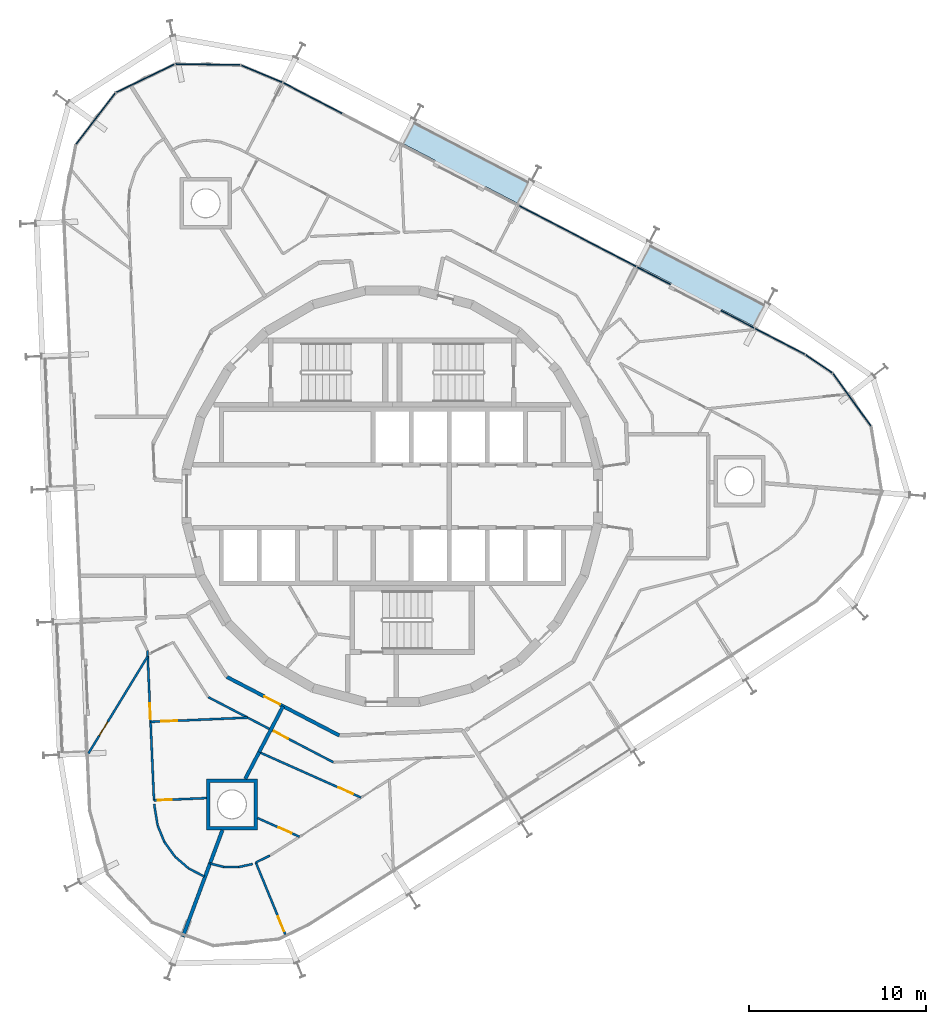
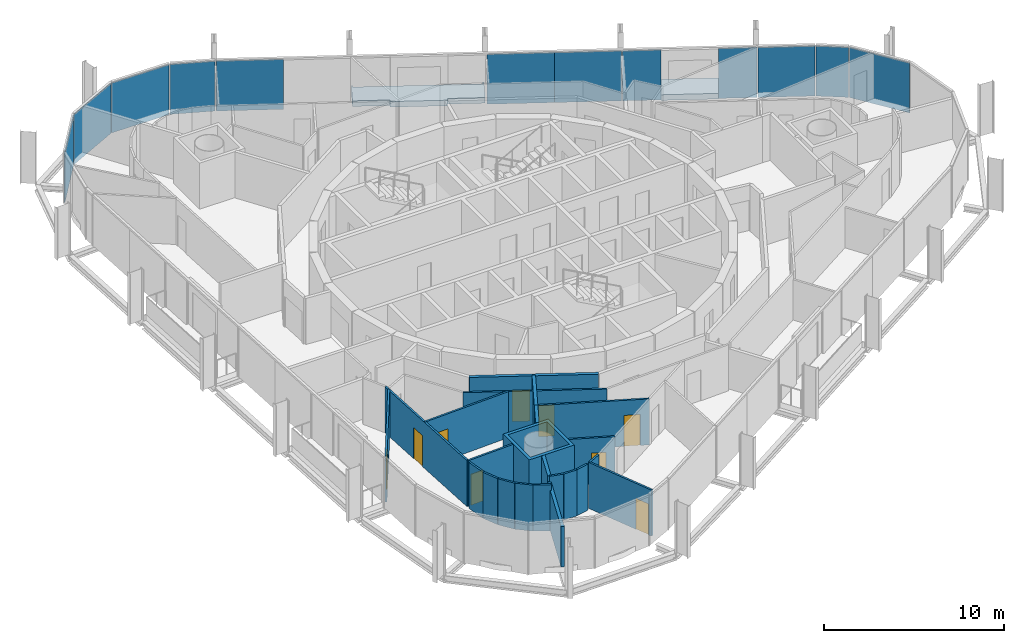
# One storey, part 11 of 18: 23 walls, 12 plates, 9 doors, 2 slabs, 9 openings, 3 elements without a shape of their own.
"""IFC4 building model written with IfcOpenShell, lengths in metres."""

from ifc_helpers import new_model, si_unit, direction, frame, frame_2d, origin, origin_2d, place, context, subcontext, project, spatial, polyline, rectangle, outline, extrude, material, layer, layer_set, type_object, element, fill, aggregate, save


model = new_model("IFC4")

# Units and contexts
model_context = context("Model", 3, precision=1e-05, world=origin(), true_north=direction((0.0, 1.0)))
body_context = subcontext(model_context, "Body", "Model", "MODEL_VIEW")
ifc_project = project(units=[si_unit("LENGTHUNIT", "METRE"), si_unit("AREAUNIT", "SQUARE_METRE"), si_unit("VOLUMEUNIT", "CUBIC_METRE"), si_unit("PLANEANGLEUNIT", "RADIAN"), si_unit("MASSUNIT", "GRAM", prefix="KILO")], contexts=[model_context])

# Site, building, storey
site_placement = place(None, origin())
site = spatial("IfcSite", under=ifc_project, at=site_placement, CompositionType="ELEMENT")
building_placement = place(site_placement, origin())
building = spatial("IfcBuilding", under=site, at=building_placement, Name="Spindle Arch Residences", CompositionType="ELEMENT")
storey_placement = place(building_placement, frame((0.0, 0.0, 251.199951171875)))
storey = spatial("IfcBuildingStorey", under=building, at=storey_placement, Name="L64", CompositionType="ELEMENT", Elevation=251.199951171875)

# Slabs
ifc_material_1 = material(Name="Concrete C40/50", Category="concrete")
ifc_layer_1 = layer(ifc_material_1, 0.3798828125)
ifc_layer_set_1 = layer_set([ifc_layer_1], Name="Balcony slab 380")
slab_type = type_object("IfcSlabType", Name="Balcony slab 380", PredefinedType="FLOOR", material=ifc_layer_set_1)
slab_1_placement = place(storey_placement, frame((0.0, 0.0, -0.3798828125)))
element("IfcSlab", 1, at=slab_1_placement, inside=storey, type_object=slab_type, Name="Balcony L64 bay 6", PredefinedType="FLOOR", context=body_context, shape_type="SweptSolid", body=[
    extrude(outline(polyline([(21.175537109375, 10.94287109375), (21.109130859375, 10.9775390625), (21.039794921875, 10.844482421875), (14.626708984375, 14.18310546875), (14.696044921875, 14.316162109375), (14.62939453125, 14.3505859375), (13.94140625, 13.029052734375), (15.79541015625, 12.06396484375), (15.721435546875, 11.922119140625), (18.559814453125, 10.444580078125), (18.6337890625, 10.58642578125), (20.487548828125, 9.621337890625), (21.175537109375, 10.94287109375)])), origin(), (0.0, 0.0, 1.0), 0.3798828125),
])
slab_2_placement = place(storey_placement, frame((0.0, 0.0, -0.3798828125)))
element("IfcSlab", 2, at=slab_2_placement, inside=storey, type_object=slab_type, Name="Balcony L64 bay 8", PredefinedType="FLOOR", context=body_context, shape_type="SweptSolid", body=[
    extrude(outline(polyline([(7.817138671875, 17.89697265625), (7.75048828125, 17.931640625), (7.681396484375, 17.798583984375), (1.268310546875, 21.136962890625), (1.33740234375, 21.27001953125), (1.27099609375, 21.3046875), (0.5830078125, 19.983154296875), (2.436767578125, 19.01806640625), (2.363037109375, 18.8759765625), (5.201416015625, 17.3984375), (5.275146484375, 17.540283203125), (7.129150390625, 16.5751953125), (7.817138671875, 17.89697265625)])), origin(), (0.0, 0.0, 1.0), 0.3798828125),
])

# Curtain wall, plates
ifc_material_2 = material(Name="Aluminium bronze unitised frame with tinted glass", Category="aluminium")
ifc_layer_2 = layer(ifc_material_2, 0.159912109375)
ifc_layer_set_2 = layer_set([ifc_layer_2], Name="CW-D corner wall on the fillet arcs")
curtain_wall_type_1 = type_object("IfcCurtainWallType", Name="CW-D corner wall on the fillet arcs", PredefinedType="NOTDEFINED", material=ifc_layer_set_2)
curtain_wall_1_placement = place(storey_placement, origin())
curtain_wall_1 = element("IfcCurtainWall", 3, at=curtain_wall_1_placement, inside=storey, type_object=curtain_wall_type_1, Name="CW-D L64 run 1", PredefinedType="NOTDEFINED")
ifc_material_3 = material(Name="Tinted double glazing over aluminium faced non-combustible spandrel zone (K0)", Category="aluminium")
ifc_layer_3 = layer(ifc_material_3, 0.06005859375)
ifc_layer_set_3 = layer_set([ifc_layer_3], Name="Unitised glass panel with E 60 spandrel zone")
plate_type = type_object("IfcPlateType", Name="Unitised glass panel with E 60 spandrel zone", PredefinedType="CURTAIN_PANEL", material=ifc_layer_set_3)
plate_1_placement = place(storey_placement, frame((26.024169921875, 5.460693359375, -0.3798828125), z_axis=(0.0, 0.0, 1.0), x_axis=(-0.585429431289, 0.810723368962, 0.0)))
plate_1 = element("IfcPlate", 4, at=plate_1_placement, type_object=plate_type, Name="CW-D unit 04", PredefinedType="CURTAIN_PANEL", context=body_context, shape_type="SweptSolid", body=[
    extrude(rectangle(XDim=3.666748046875, YDim=0.06005859375, at=origin_2d()), origin(), (0.0, 0.0, 1.0), 3.3798828125),
])
plate_2_placement = place(storey_placement, frame((24.156982421875, 7.498291015625, -0.3798828125), z_axis=(0.0, 0.0, 1.0), x_axis=(-0.827407441981, 0.561602105546, 0.0)))
plate_2 = element("IfcPlate", 5, at=plate_2_placement, type_object=plate_type, Name="CW-D unit 05", PredefinedType="CURTAIN_PANEL", context=body_context, shape_type="SweptSolid", body=[
    extrude(rectangle(XDim=1.816162109375, YDim=0.06005859375, at=origin_2d()), origin(), (0.0, 0.0, 1.0), 3.3798828125),
])
plate_3_placement = place(storey_placement, frame((21.948974609375, 8.770263671875, -0.3798828125), z_axis=(0.0, 0.0, 1.0), x_axis=(-0.887010833178, 0.461748613235, 0.0)))
plate_3 = element("IfcPlate", 6, at=plate_3_placement, type_object=plate_type, Name="CW-D unit 06", PredefinedType="CURTAIN_PANEL", context=body_context, shape_type="SweptSolid", body=[
    extrude(rectangle(XDim=3.16845703125, YDim=0.06005859375, at=origin_2d()), origin(), (0.0, 0.0, 1.0), 3.3798828125),
])
aggregate(curtain_wall_1, [plate_1, plate_2, plate_3])

ifc_material_4 = material(Name="Aluminium bronze unitised frame with tinted glass", Category="aluminium")
ifc_layer_4 = layer(ifc_material_4, 0.159912109375)
ifc_layer_set_4 = layer_set([ifc_layer_4], Name="CW-C typical residential unitised wall")
curtain_wall_type_2 = type_object("IfcCurtainWallType", Name="CW-C typical residential unitised wall", PredefinedType="NOTDEFINED", material=ifc_layer_set_4)
curtain_wall_2_placement = place(storey_placement, origin())
curtain_wall_2 = element("IfcCurtainWall", 7, at=curtain_wall_2_placement, inside=storey, type_object=curtain_wall_type_2, Name="CW-C L64 run 2", PredefinedType="NOTDEFINED")
plate_4_placement = place(storey_placement, frame((19.543701171875, 10.0224609375, -0.3798828125), z_axis=(0.0, 0.0, 1.0), x_axis=(-0.887010833178, 0.461748613235, 0.0)))
plate_4 = element("IfcPlate", 8, at=plate_4_placement, type_object=plate_type, Name="CW-C unit 05L", PredefinedType="CURTAIN_PANEL", context=body_context, shape_type="SweptSolid", body=[
    extrude(rectangle(XDim=2.135009765625, YDim=0.06005859375, at=origin_2d()), origin(), (0.0, 0.0, 1.0), 3.3798828125),
])
plate_5_placement = place(storey_placement, frame((14.8115234375, 12.48583984375, -0.3798828125), z_axis=(0.0, 0.0, 1.0), x_axis=(-0.887010833178, 0.461748613235, 0.0)))
plate_5 = element("IfcPlate", 9, at=plate_5_placement, type_object=plate_type, Name="CW-C unit 05R", PredefinedType="CURTAIN_PANEL", context=body_context, shape_type="SweptSolid", body=[
    extrude(rectangle(XDim=2.135009765625, YDim=0.06005859375, at=origin_2d()), origin(), (0.0, 0.0, 1.0), 3.3798828125),
])
plate_6_placement = place(storey_placement, frame((12.15478515625, 13.868896484375, -0.3798828125), z_axis=(0.0, 0.0, 1.0), x_axis=(-0.887010833178, 0.461748613235, 0.0)))
plate_6 = element("IfcPlate", 10, at=plate_6_placement, type_object=plate_type, Name="CW-C unit 06A", PredefinedType="CURTAIN_PANEL", context=body_context, shape_type="SweptSolid", body=[
    extrude(rectangle(XDim=3.735107421875, YDim=0.06005859375, at=origin_2d()), origin(), (0.0, 0.0, 1.0), 3.3798828125),
])
plate_7_placement = place(storey_placement, frame((8.841796875, 15.593505859375, -0.3798828125), z_axis=(0.0, 0.0, 1.0), x_axis=(-0.887010833178, 0.461748613235, 0.0)))
plate_7 = element("IfcPlate", 11, at=plate_7_placement, type_object=plate_type, Name="CW-C unit 06B", PredefinedType="CURTAIN_PANEL", context=body_context, shape_type="SweptSolid", body=[
    extrude(rectangle(XDim=3.735107421875, YDim=0.06005859375, at=origin_2d()), origin(), (0.0, 0.0, 1.0), 3.3798828125),
])
plate_8_placement = place(storey_placement, frame((-4.5166015625, 22.547607421875, -0.3798828125), z_axis=(0.0, 0.0, 1.0), x_axis=(-0.887010833178, 0.461748613235, 0.0)))
plate_8 = element("IfcPlate", 12, at=plate_8_placement, type_object=plate_type, Name="CW-C unit 08B", PredefinedType="CURTAIN_PANEL", context=body_context, shape_type="SweptSolid", body=[
    extrude(rectangle(XDim=3.735107421875, YDim=0.06005859375, at=origin_2d()), origin(), (0.0, 0.0, 1.0), 3.3798828125),
])
aggregate(curtain_wall_2, [plate_4, plate_5, plate_6, plate_7, plate_8])

curtain_wall_3_placement = place(storey_placement, origin())
curtain_wall_3 = element("IfcCurtainWall", 13, at=curtain_wall_3_placement, inside=storey, type_object=curtain_wall_type_1, Name="CW-D L64 run 3", PredefinedType="NOTDEFINED")
plate_9_placement = place(storey_placement, frame((-7.39501953125, 23.923095703125, -0.3798828125), z_axis=(0.0, 0.0, 1.0), x_axis=(-0.92268610302, 0.385552013734, 0.0)))
plate_9 = element("IfcPlate", 14, at=plate_9_placement, type_object=plate_type, Name="CW-D unit 00", PredefinedType="CURTAIN_PANEL", context=body_context, shape_type="SweptSolid", body=[
    extrude(rectangle(XDim=2.531005859375, YDim=0.06005859375, at=origin_2d()), origin(), (0.0, 0.0, 1.0), 3.3798828125),
])
plate_10_placement = place(storey_placement, frame((-10.45361328125, 24.44970703125, -0.3798828125), z_axis=(0.0, 0.0, 1.0), x_axis=(-0.999894231949, 0.014543896145, 0.0)))
plate_10 = element("IfcPlate", 15, at=plate_10_placement, type_object=plate_type, Name="CW-D unit 01", PredefinedType="CURTAIN_PANEL", context=body_context, shape_type="SweptSolid", body=[
    extrude(rectangle(XDim=3.666748046875, YDim=0.06005859375, at=origin_2d()), origin(), (0.0, 0.0, 1.0), 3.3798828125),
])
plate_11_placement = place(storey_placement, frame((-13.993896484375, 23.664794921875, -0.3798828125), z_axis=(0.0, 0.0, 1.0), x_axis=(-0.900065409075, -0.435754815677, 0.0)))
plate_11 = element("IfcPlate", 16, at=plate_11_placement, type_object=plate_type, Name="CW-D unit 02", PredefinedType="CURTAIN_PANEL", context=body_context, shape_type="SweptSolid", body=[
    extrude(rectangle(XDim=3.666748046875, YDim=0.06005859375, at=origin_2d()), origin(), (0.0, 0.0, 1.0), 3.3798828125),
])
plate_12_placement = place(storey_placement, frame((-16.805419921875, 21.37451171875, -0.3798828125), z_axis=(0.0, 0.0, 1.0), x_axis=(-0.60876142329, -0.793353344679, 0.0)))
plate_12 = element("IfcPlate", 17, at=plate_12_placement, type_object=plate_type, Name="CW-D unit 03", PredefinedType="CURTAIN_PANEL", context=body_context, shape_type="SweptSolid", body=[
    extrude(rectangle(XDim=3.666748046875, YDim=0.06005859375, at=origin_2d()), origin(), (0.0, 0.0, 1.0), 3.3798828125),
])
aggregate(curtain_wall_3, [plate_9, plate_10, plate_11, plate_12])

# Wall, opening, door
ifc_material_5 = material(Name="Calcium silicate block, plastered")
ifc_layer_5 = layer(ifc_material_5, 0.199951171875)
ifc_layer_set_5 = layer_set([ifc_layer_5], Name="Corridor wall 200")
wall_type_1 = type_object("IfcWallType", Name="Corridor wall 200", PredefinedType="STANDARD", material=ifc_layer_set_5)
wall_1_placement = place(storey_placement, frame((-9.372314453125, -10.22802734375, 0.0), z_axis=(0.0, 0.0, 1.0), x_axis=(0.887005184532, -0.461759464021, 0.0)))
wall_1 = element("IfcWall", 18, at=wall_1_placement, inside=storey, type_object=wall_type_1, Name="Corridor wall R6C1-W019", PredefinedType="STANDARD", context=body_context, shape_type="SweptSolid", body=[
    extrude(rectangle(XDim=7.18115234375, YDim=0.199951171875, at=frame_2d((3.590576171875, 0.0))), origin(), (0.0, 0.0, 1.0), 3.1201171875),
])
opening_1_placement = place(wall_1_placement, frame((2.390625, 0.0, 0.0)))
opening_1 = element("IfcOpeningElement", 19, at=opening_1_placement, cuts=wall_1, Name="Opening R6C1-FD04", PredefinedType="OPENING", context=body_context, shape_type="SweptSolid", body=[
    extrude(rectangle(XDim=1.0, YDim=2.10009765625, at=frame_2d((0.5, 1.050048828125))), frame((0.0, 0.10986328125, 0.0), z_axis=(0.0, -1.0, 0.0), x_axis=(1.0, 0.0, 0.0)), (0.0, 0.0, 1.0), 0.219970703125),
])
ifc_material_6 = material(Name="Timber, fire-resisting door set", Category="wood")
door_type_1 = type_object("IfcDoorType", Name="Flat entrance door 1000x2100", OperationType="NOTDEFINED", PredefinedType="DOOR", material=ifc_material_6)
door_1_placement = place(opening_1_placement, origin())
door_1 = element("IfcDoor", 20, at=door_1_placement, inside=storey, type_object=door_type_1, Name="Flat entrance door R6C1-FD04", OperationType="SINGLE_SWING_RIGHT", OverallHeight=2.10009765625, OverallWidth=1.0, PredefinedType="DOOR", context=body_context, shape_type="SweptSolid", body=[
    extrude(rectangle(XDim=1.0, YDim=2.10009765625, at=frame_2d((0.5, 1.050048828125))), frame((0.0, 0.02490234375, 0.0), z_axis=(0.0, -1.0, 0.0), x_axis=(1.0, 0.0, 0.0)), (0.0, 0.0, 1.0), 0.050048828125),
])
fill(opening_1, door_1)

ifc_material_7 = material(Name="Plasterboard on steel studs", Category="steel")
ifc_layer_6 = layer(ifc_material_7, 0.1201171875)
ifc_layer_set_6 = layer_set([ifc_layer_6], Name="Flat partition 120")
wall_type_2 = type_object("IfcWallType", Name="Flat partition 120", PredefinedType="PARTITIONING", material=ifc_layer_set_6)
wall_2_placement = place(storey_placement, frame((-10.42138671875, -11.373046875, 0.0), z_axis=(0.0, 0.0, 1.0), x_axis=(0.887012970857, -0.461744506769, 0.0)))
wall_2 = element("IfcWall", 21, at=wall_2_placement, inside=storey, type_object=wall_type_2, Name="Flat partition R6C1-W087", PredefinedType="PARTITIONING", context=body_context, shape_type="SweptSolid", body=[
    extrude(rectangle(XDim=7.98486328125, YDim=0.1201171875, at=frame_2d((3.992431640625, 0.0))), origin(), (0.0, 0.0, 1.0), 3.1201171875),
])
opening_2_placement = place(wall_2_placement, frame((4.1923828125, 0.0, 0.0)))
opening_2 = element("IfcOpeningElement", 22, at=opening_2_placement, cuts=wall_2, Name="Opening R6C1-ID19", PredefinedType="OPENING", context=body_context, shape_type="SweptSolid", body=[
    extrude(rectangle(XDim=0.89990234375, YDim=2.10009765625, at=frame_2d((0.449951171875, 1.050048828125))), frame((0.0, 0.070068359375, 0.0), z_axis=(0.0, -1.0, 0.0), x_axis=(1.0, 0.0, 0.0)), (0.0, 0.0, 1.0), 0.14013671875),
])
ifc_material_8 = material(Name="Timber door set", Category="wood")
door_type_2 = type_object("IfcDoorType", Name="Room door 900x2100", OperationType="NOTDEFINED", PredefinedType="DOOR", material=ifc_material_8)
door_2_placement = place(opening_2_placement, origin())
door_2 = element("IfcDoor", 23, at=door_2_placement, inside=storey, type_object=door_type_2, Name="Room door R6C1-ID19", OperationType="SINGLE_SWING_LEFT", OverallHeight=2.10009765625, OverallWidth=0.89990234375, PredefinedType="DOOR", context=body_context, shape_type="SweptSolid", body=[
    extrude(rectangle(XDim=0.89990234375, YDim=2.10009765625, at=frame_2d((0.449951171875, 1.050048828125))), frame((0.0, 0.02490234375, 0.0), z_axis=(0.0, -1.0, 0.0), x_axis=(1.0, 0.0, 0.0)), (0.0, 0.0, 1.0), 0.050048828125),
])
fill(opening_2, door_2)

wall_3_placement = place(storey_placement, frame((-13.49609375, -17.218017578125, 0.0), z_axis=(0.0, 0.0, 1.0), x_axis=(-0.043640714674, 0.999047290183, 0.0)))
wall_3 = element("IfcWall", 24, at=wall_3_placement, inside=storey, type_object=wall_type_2, Name="Flat partition R6C1-W088", PredefinedType="PARTITIONING", context=body_context, shape_type="SweptSolid", body=[
    extrude(rectangle(XDim=8.486572265625, YDim=0.1201171875, at=frame_2d((4.2431640625, 0.0))), origin(), (0.0, 0.0, 1.0), 3.1201171875),
])
opening_3_placement = place(wall_3_placement, frame((4.6083984375, 0.0, 0.0)))
opening_3 = element("IfcOpeningElement", 25, at=opening_3_placement, cuts=wall_3, Name="Opening R6C1-ID16", PredefinedType="OPENING", context=body_context, shape_type="SweptSolid", body=[
    extrude(rectangle(XDim=0.89990234375, YDim=2.10009765625, at=frame_2d((0.449951171875, 1.050048828125))), frame((0.0, 0.070068359375, 0.0), z_axis=(0.0, -1.0, 0.0), x_axis=(1.0, 0.0, 0.0)), (0.0, 0.0, 1.0), 0.14013671875),
])
door_3_placement = place(opening_3_placement, origin())
door_3 = element("IfcDoor", 26, at=door_3_placement, inside=storey, type_object=door_type_2, Name="Room door R6C1-ID16", OperationType="SINGLE_SWING_RIGHT", OverallHeight=2.10009765625, OverallWidth=0.89990234375, PredefinedType="DOOR", context=body_context, shape_type="SweptSolid", body=[
    extrude(rectangle(XDim=0.89990234375, YDim=2.10009765625, at=frame_2d((0.449951171875, 1.050048828125))), frame((0.0, 0.02490234375, 0.0), z_axis=(0.0, -1.0, 0.0), x_axis=(1.0, 0.0, 0.0)), (0.0, 0.0, 1.0), 0.050048828125),
])
fill(opening_3, door_3)

wall_4_placement = place(storey_placement, frame((-17.215087890625, -14.570068359375, 0.0), z_axis=(0.0, 0.0, 1.0), x_axis=(0.520949659667, 0.853587401555, 0.0)))
wall_4 = element("IfcWall", 27, at=wall_4_placement, inside=storey, type_object=wall_type_2, Name="Flat partition R6C1-W089", PredefinedType="PARTITIONING", context=body_context, shape_type="SweptSolid", body=[
    extrude(rectangle(XDim=6.455078125, YDim=0.1201171875, at=frame_2d((3.2275390625, 0.0))), origin(), (0.0, 0.0, 1.0), 3.1201171875),
])
opening_4_placement = place(wall_4_placement, frame((1.199951171875, 0.0, 0.0)))
opening_4 = element("IfcOpeningElement", 28, at=opening_4_placement, cuts=wall_4, Name="Opening R6C1-ID17", PredefinedType="OPENING", context=body_context, shape_type="SweptSolid", body=[
    extrude(rectangle(XDim=0.89990234375, YDim=2.10009765625, at=frame_2d((0.449951171875, 1.050048828125))), frame((0.0, 0.070068359375, 0.0), z_axis=(0.0, -1.0, 0.0), x_axis=(1.0, 0.0, 0.0)), (0.0, 0.0, 1.0), 0.14013671875),
])
door_4_placement = place(opening_4_placement, origin())
door_4 = element("IfcDoor", 29, at=door_4_placement, inside=storey, type_object=door_type_2, Name="Room door R6C1-ID17", OperationType="SINGLE_SWING_LEFT", OverallHeight=2.10009765625, OverallWidth=0.89990234375, PredefinedType="DOOR", context=body_context, shape_type="SweptSolid", body=[
    extrude(rectangle(XDim=0.89990234375, YDim=2.10009765625, at=frame_2d((0.449951171875, 1.050048828125))), frame((0.0, 0.02490234375, 0.0), z_axis=(0.0, -1.0, 0.0), x_axis=(1.0, 0.0, 0.0)), (0.0, 0.0, 1.0), 0.050048828125),
])
fill(opening_4, door_4)

wall_5_placement = place(storey_placement, frame((-13.690185546875, -12.773681640625, 0.0), z_axis=(0.0, 0.0, 1.0), x_axis=(0.999048778431, 0.043606631553, 0.0)))
wall_5 = element("IfcWall", 30, at=wall_5_placement, inside=storey, type_object=wall_type_2, Name="Flat partition R6C1-W090", PredefinedType="PARTITIONING", context=body_context, shape_type="SweptSolid", body=[
    extrude(rectangle(XDim=5.50341796875, YDim=0.1201171875, at=frame_2d((2.751708984375, 0.0))), origin(), (0.0, 0.0, 1.0), 3.1201171875),
])
opening_5_placement = place(wall_5_placement, frame((0.60009765625, 0.0, 0.0)))
opening_5 = element("IfcOpeningElement", 31, at=opening_5_placement, cuts=wall_5, Name="Opening R6C1-ID18", PredefinedType="OPENING", context=body_context, shape_type="SweptSolid", body=[
    extrude(rectangle(XDim=0.89990234375, YDim=2.10009765625, at=frame_2d((0.449951171875, 1.050048828125))), frame((0.0, 0.070068359375, 0.0), z_axis=(0.0, -1.0, 0.0), x_axis=(1.0, 0.0, 0.0)), (0.0, 0.0, 1.0), 0.14013671875),
])
door_5_placement = place(opening_5_placement, origin())
door_5 = element("IfcDoor", 32, at=door_5_placement, inside=storey, type_object=door_type_2, Name="Room door R6C1-ID18", OperationType="SINGLE_SWING_RIGHT", OverallHeight=2.10009765625, OverallWidth=0.89990234375, PredefinedType="DOOR", context=body_context, shape_type="SweptSolid", body=[
    extrude(rectangle(XDim=0.89990234375, YDim=2.10009765625, at=frame_2d((0.449951171875, 1.050048828125))), frame((0.0, 0.02490234375, 0.0), z_axis=(0.0, -1.0, 0.0), x_axis=(1.0, 0.0, 0.0)), (0.0, 0.0, 1.0), 0.050048828125),
])
fill(opening_5, door_5)

# Walls
for number, where, z_axis, x_axis, name in (
    (33, (-10.63818359375, -21.535888671875, 0.0), (0.0, 0.0, 1.0), (-0.886953051048, 0.461859594721, 0.0), "Flat partition R6C1-W091"),
    (34, (-11.539306640625, -21.066650390625, 0.0), (0.0, 0.0, 1.0), (-0.756552751789, 0.653932667604, 0.0), "Flat partition R6C1-W092"),
    (35, (-12.307861328125, -20.40234375, 0.0), (0.0, 0.0, 1.0), (-0.585481778516, 0.810685566065, 0.0), "Flat partition R6C1-W093"),
):
    element("IfcWall", number, at=place(storey_placement, frame(where, z_axis=z_axis, x_axis=x_axis)), inside=storey, type_object=wall_type_2, Name=name, PredefinedType="PARTITIONING", context=body_context, shape_type="SweptSolid", body=[
        extrude(rectangle(XDim=1.015869140625, YDim=0.1201171875, at=frame_2d((0.5078125, 0.0))), origin(), (0.0, 0.0, 1.0), 3.1201171875),
    ])
wall_6_placement = place(storey_placement, frame((-12.902587890625, -19.578857421875, 0.0), z_axis=(0.0, 0.0, 1.0), x_axis=(-0.382754975976, 0.923849894932, 0.0)))
element("IfcWall", 36, at=wall_6_placement, inside=storey, type_object=wall_type_2, Name="Flat partition R6C1-W094", PredefinedType="PARTITIONING", context=body_context, shape_type="SweptSolid", body=[
    extrude(rectangle(XDim=1.01611328125, YDim=0.1201171875, at=frame_2d((0.508056640625, 0.0))), origin(), (0.0, 0.0, 1.0), 3.1201171875),
])
wall_7_placement = place(storey_placement, frame((-13.29150390625, -18.64013671875, 0.0), z_axis=(0.0, 0.0, 1.0), x_axis=(-0.159363796836, 0.98721992497, 0.0)))
element("IfcWall", 37, at=wall_7_placement, inside=storey, type_object=wall_type_2, Name="Flat partition R6C1-W095", PredefinedType="PARTITIONING", context=body_context, shape_type="SweptSolid", body=[
    extrude(rectangle(XDim=1.22705078125, YDim=0.1201171875, at=frame_2d((0.613525390625, 0.0))), origin(), (0.0, 0.0, 1.0), 3.1201171875),
])

# Wall, opening, door
wall_8_placement = place(storey_placement, frame((-13.49609375, -17.218017578125, 0.0), z_axis=(0.0, 0.0, 1.0), x_axis=(0.999044946677, 0.043694330507, 0.0)))
wall_8 = element("IfcWall", 38, at=wall_8_placement, inside=storey, type_object=wall_type_2, Name="Flat partition R6C1-W096", PredefinedType="PARTITIONING", context=body_context, shape_type="SweptSolid", body=[
    extrude(rectangle(XDim=2.967041015625, YDim=0.1201171875, at=frame_2d((1.4833984375, 0.0))), origin(), (0.0, 0.0, 1.0), 3.1201171875),
])
opening_6_placement = place(wall_8_placement, frame((0.199951171875, 0.0, 0.0)))
opening_6 = element("IfcOpeningElement", 39, at=opening_6_placement, cuts=wall_8, Name="Opening R6C1-BD04", PredefinedType="OPENING", context=body_context, shape_type="SweptSolid", body=[
    extrude(rectangle(XDim=0.800048828125, YDim=2.10009765625, at=frame_2d((0.39990234375, 1.050048828125))), frame((0.0, 0.070068359375, 0.0), z_axis=(0.0, -1.0, 0.0), x_axis=(1.0, 0.0, 0.0)), (0.0, 0.0, 1.0), 0.14013671875),
])
ifc_material_9 = material(Name="Timber door set", Category="wood")
door_type_3 = type_object("IfcDoorType", Name="Bathroom door 800x2100", OperationType="NOTDEFINED", PredefinedType="DOOR", material=ifc_material_9)
door_6_placement = place(opening_6_placement, origin())
door_6 = element("IfcDoor", 40, at=door_6_placement, inside=storey, type_object=door_type_3, Name="Bathroom door R6C1-BD04", OperationType="SINGLE_SWING_RIGHT", OverallHeight=2.10009765625, OverallWidth=0.800048828125, PredefinedType="DOOR", context=body_context, shape_type="SweptSolid", body=[
    extrude(rectangle(XDim=0.800048828125, YDim=2.10009765625, at=frame_2d((0.39990234375, 1.050048828125))), frame((0.0, 0.02490234375, 0.0), z_axis=(0.0, -1.0, 0.0), x_axis=(1.0, 0.0, 0.0)), (0.0, 0.0, 1.0), 0.050048828125),
])
fill(opening_6, door_6)

# Walls
wall_9_placement = place(storey_placement, frame((-10.32421875, -20.789794921875, 0.0), z_axis=(0.0, 0.0, 1.0), x_axis=(0.969547579982, -0.244903021933, 0.0)))
element("IfcWall", 41, at=wall_9_placement, inside=storey, type_object=wall_type_2, Name="Flat partition R6C1-W098", PredefinedType="PARTITIONING", context=body_context, shape_type="SweptSolid", body=[
    extrude(rectangle(XDim=0.800537109375, YDim=0.1201171875, at=frame_2d((0.400390625, 0.0))), origin(), (0.0, 0.0, 1.0), 3.1201171875),
])
wall_10_placement = place(storey_placement, frame((-9.548095703125, -20.98583984375, 0.0), z_axis=(0.0, 0.0, 1.0), x_axis=(0.999895921986, -0.014427237979, 0.0)))
element("IfcWall", 42, at=wall_10_placement, inside=storey, type_object=wall_type_2, Name="Flat partition R6C1-W099", PredefinedType="PARTITIONING", context=body_context, shape_type="SweptSolid", body=[
    extrude(rectangle(XDim=0.8291015625, YDim=0.1201171875, at=frame_2d((0.41455078125, 0.0))), origin(), (0.0, 0.0, 1.0), 3.1201171875),
])
wall_11_placement = place(storey_placement, frame((-8.718994140625, -20.997802734375, 0.0), z_axis=(0.0, 0.0, 1.0), x_axis=(0.976339323235, 0.216244134959, 0.0)))
element("IfcWall", 43, at=wall_11_placement, inside=storey, type_object=wall_type_2, Name="Flat partition R6C1-W100", PredefinedType="PARTITIONING", context=body_context, shape_type="SweptSolid", body=[
    extrude(rectangle(XDim=0.82861328125, YDim=0.1201171875, at=frame_2d((0.414306640625, 0.0))), origin(), (0.0, 0.0, 1.0), 3.1201171875),
])

# Wall, opening, door
wall_12_placement = place(storey_placement, frame((-5.25634765625, -19.277587890625, 0.0), z_axis=(0.0, 0.0, 1.0), x_axis=(-0.913284429849, 0.407322415532, 0.0)))
wall_12 = element("IfcWall", 44, at=wall_12_placement, inside=storey, type_object=wall_type_2, Name="Flat partition R6C1-W101", PredefinedType="PARTITIONING", context=body_context, shape_type="SweptSolid", body=[
    extrude(rectangle(XDim=2.601318359375, YDim=0.1201171875, at=frame_2d((1.30078125, 0.0))), origin(), (0.0, 0.0, 1.0), 3.1201171875),
])
opening_7_placement = place(wall_12_placement, frame((0.5, 0.0, 0.0)))
opening_7 = element("IfcOpeningElement", 45, at=opening_7_placement, cuts=wall_12, Name="Opening R6C1-BD05", PredefinedType="OPENING", context=body_context, shape_type="SweptSolid", body=[
    extrude(rectangle(XDim=0.800048828125, YDim=2.10009765625, at=frame_2d((0.39990234375, 1.050048828125))), frame((0.0, 0.070068359375, 0.0), z_axis=(0.0, -1.0, 0.0), x_axis=(1.0, 0.0, 0.0)), (0.0, 0.0, 1.0), 0.14013671875),
])
door_7_placement = place(opening_7_placement, origin())
door_7 = element("IfcDoor", 46, at=door_7_placement, inside=storey, type_object=door_type_3, Name="Bathroom door R6C1-BD05", OperationType="SINGLE_SWING_LEFT", OverallHeight=2.10009765625, OverallWidth=0.800048828125, PredefinedType="DOOR", context=body_context, shape_type="SweptSolid", body=[
    extrude(rectangle(XDim=0.800048828125, YDim=2.10009765625, at=frame_2d((0.39990234375, 1.050048828125))), frame((0.0, 0.02490234375, 0.0), z_axis=(0.0, -1.0, 0.0), x_axis=(1.0, 0.0, 0.0)), (0.0, 0.0, 1.0), 0.050048828125),
])
fill(opening_7, door_7)

# Wall
wall_13_placement = place(storey_placement, frame((-7.73193359375, -20.732421875, 0.0), z_axis=(0.0, 0.0, 1.0), x_axis=(0.900065466697, 0.435754696659, 0.0)))
element("IfcWall", 47, at=wall_13_placement, inside=storey, type_object=wall_type_2, Name="Flat partition R6C1-W102", PredefinedType="PARTITIONING", context=body_context, shape_type="SweptSolid", body=[
    extrude(rectangle(XDim=0.88916015625, YDim=0.1201171875, at=frame_2d((0.444580078125, 0.0))), origin(), (0.0, 0.0, 1.0), 3.1201171875),
])

# Wall, opening, door
wall_14_placement = place(storey_placement, frame((-6.056640625, -24.809814453125, 0.0), z_axis=(0.0, 0.0, 1.0), x_axis=(-0.380044941584, 0.924968022354, 0.0)))
wall_14 = element("IfcWall", 48, at=wall_14_placement, inside=storey, type_object=wall_type_2, Name="Flat partition R6C1-W104", PredefinedType="PARTITIONING", context=body_context, shape_type="SweptSolid", body=[
    extrude(rectangle(XDim=4.408203125, YDim=0.1201171875, at=frame_2d((2.2041015625, 0.0))), origin(), (0.0, 0.0, 1.0), 3.1201171875),
])
opening_8_placement = place(wall_14_placement, frame((0.199951171875, 0.0, 0.0)))
opening_8 = element("IfcOpeningElement", 49, at=opening_8_placement, cuts=wall_14, Name="Opening R6C1-ID23", PredefinedType="OPENING", context=body_context, shape_type="SweptSolid", body=[
    extrude(rectangle(XDim=0.89990234375, YDim=2.10009765625, at=frame_2d((0.449951171875, 1.050048828125))), frame((0.0, 0.070068359375, 0.0), z_axis=(0.0, -1.0, 0.0), x_axis=(1.0, 0.0, 0.0)), (0.0, 0.0, 1.0), 0.14013671875),
])
door_8_placement = place(opening_8_placement, origin())
door_8 = element("IfcDoor", 50, at=door_8_placement, inside=storey, type_object=door_type_2, Name="Room door R6C1-ID23", OperationType="SINGLE_SWING_LEFT", OverallHeight=2.10009765625, OverallWidth=0.89990234375, PredefinedType="DOOR", context=body_context, shape_type="SweptSolid", body=[
    extrude(rectangle(XDim=0.89990234375, YDim=2.10009765625, at=frame_2d((0.449951171875, 1.050048828125))), frame((0.0, 0.02490234375, 0.0), z_axis=(0.0, -1.0, 0.0), x_axis=(1.0, 0.0, 0.0)), (0.0, 0.0, 1.0), 0.050048828125),
])
fill(opening_8, door_8)

wall_15_placement = place(storey_placement, frame((-1.773193359375, -17.05859375, 0.0), z_axis=(0.0, 0.0, 1.0), x_axis=(-0.913279926902, 0.407332511736, 0.0)))
wall_15 = element("IfcWall", 51, at=wall_15_placement, inside=storey, type_object=wall_type_2, Name="Flat partition R6C1-W105", PredefinedType="PARTITIONING", context=body_context, shape_type="SweptSolid", body=[
    extrude(rectangle(XDim=6.3154296875, YDim=0.1201171875, at=frame_2d((3.15771484375, 0.0))), origin(), (0.0, 0.0, 1.0), 3.1201171875),
])
opening_9_placement = place(wall_15_placement, frame((0.5, 0.0, 0.0)))
opening_9 = element("IfcOpeningElement", 52, at=opening_9_placement, cuts=wall_15, Name="Opening R6C1-ID21", PredefinedType="OPENING", context=body_context, shape_type="SweptSolid", body=[
    extrude(rectangle(XDim=0.89990234375, YDim=2.10009765625, at=frame_2d((0.449951171875, 1.050048828125))), frame((0.0, 0.070068359375, 0.0), z_axis=(0.0, -1.0, 0.0), x_axis=(1.0, 0.0, 0.0)), (0.0, 0.0, 1.0), 0.14013671875),
])
door_9_placement = place(opening_9_placement, origin())
door_9 = element("IfcDoor", 53, at=door_9_placement, inside=storey, type_object=door_type_2, Name="Room door R6C1-ID21", OperationType="SINGLE_SWING_LEFT", OverallHeight=2.10009765625, OverallWidth=0.89990234375, PredefinedType="DOOR", context=body_context, shape_type="SweptSolid", body=[
    extrude(rectangle(XDim=0.89990234375, YDim=2.10009765625, at=frame_2d((0.449951171875, 1.050048828125))), frame((0.0, 0.02490234375, 0.0), z_axis=(0.0, -1.0, 0.0), x_axis=(1.0, 0.0, 0.0)), (0.0, 0.0, 1.0), 0.050048828125),
])
fill(opening_9, door_9)

# Walls
ifc_material_10 = material(Name="Calcium silicate block, plastered")
ifc_layer_7 = layer(ifc_material_10, 0.199951171875)
ifc_layer_set_7 = layer_set([ifc_layer_7], Name="Flat party wall 200")
wall_type_3 = type_object("IfcWallType", Name="Flat party wall 200", PredefinedType="STANDARD", material=ifc_layer_set_7)
wall_16_placement = place(storey_placement, frame((-7.541015625, -14.486083984375, 0.0), z_axis=(0.0, 0.0, 1.0), x_axis=(0.461746051786, 0.88701216658, 0.0)))
element("IfcWall", 54, at=wall_16_placement, inside=storey, type_object=wall_type_3, Name="Flat party wall R6C1-W036", PredefinedType="STANDARD", context=body_context, shape_type="SweptSolid", body=[
    extrude(rectangle(XDim=2.931396484375, YDim=0.199951171875, at=frame_2d((1.4658203125, 0.0))), origin(), (0.0, 0.0, 1.0), 3.1201171875),
])
wall_17_placement = place(storey_placement, frame((-8.3271484375, -15.996337890625, 0.0), z_axis=(0.0, 0.0, 1.0), x_axis=(0.461722915657, 0.887024210017, 0.0)))
element("IfcWall", 55, at=wall_17_placement, inside=storey, type_object=wall_type_3, Name="Flat party wall R6C1-W038", PredefinedType="STANDARD", context=body_context, shape_type="SweptSolid", body=[
    extrude(rectangle(XDim=1.70263671875, YDim=0.199951171875, at=frame_2d((0.851318359375, 0.0))), origin(), (0.0, 0.0, 1.0), 3.1201171875),
])
wall_18_placement = place(storey_placement, frame((-10.32421875, -20.789794921875, 0.0), z_axis=(0.0, 0.0, 1.0), x_axis=(0.348313973933, 0.937377925686, 0.0)))
element("IfcWall", 56, at=wall_18_placement, inside=storey, type_object=wall_type_3, Name="Flat party wall R6C1-W039", PredefinedType="STANDARD", context=body_context, shape_type="SweptSolid", body=[
    extrude(rectangle(XDim=2.02001953125, YDim=0.199951171875, at=frame_2d((1.010009765625, 0.0))), origin(), (0.0, 0.0, 1.0), 3.1201171875),
])
ifc_material_11 = material(Name="Calcium silicate block, plastered")
ifc_layer_8 = layer(ifc_material_11, 0.199951171875)
ifc_layer_set_8 = layer_set([ifc_layer_8], Name="Flat party wall 200 under beam 2730")
wall_type_4 = type_object("IfcWallType", Name="Flat party wall 200 under beam 2730", PredefinedType="STANDARD", material=ifc_layer_set_8)
wall_19_placement = place(storey_placement, frame((-11.865478515625, -24.93896484375, 0.0), z_axis=(0.0, 0.0, 1.0), x_axis=(0.348214227297, 0.937414983829, 0.0)))
element("IfcWall", 57, at=wall_19_placement, inside=storey, type_object=wall_type_4, Name="Flat party wall R6C1-W037", PredefinedType="STANDARD", context=body_context, shape_type="SweptSolid", body=[
    extrude(rectangle(XDim=4.42626953125, YDim=0.199951171875, at=frame_2d((2.213134765625, 0.0))), origin(), (0.0, 0.0, 1.0), 2.72998046875),
])
ifc_material_12 = material(Name="Calcium silicate block, plastered")
ifc_layer_9 = layer(ifc_material_12, 0.199951171875)
ifc_layer_set_9 = layer_set([ifc_layer_9], Name="Mega-column casing wall 200")
wall_type_5 = type_object("IfcWallType", Name="Mega-column casing wall 200", PredefinedType="STANDARD", material=ifc_layer_set_9)
wall_20_placement = place(storey_placement, origin())
element("IfcWall", 58, at=wall_20_placement, inside=storey, type_object=wall_type_5, Name="Mega-column casing wall R6C1-WC03", PredefinedType="STANDARD", context=body_context, shape_type="SweptSolid", body=[
    extrude(outline(polyline([(-7.632080078125, -15.996337890625), (-7.632080078125, -18.896240234375), (-10.531982421875, -18.896240234375), (-10.531982421875, -15.996337890625), (-7.632080078125, -15.996337890625)]), holes=[polyline([(-10.33203125, -18.6962890625), (-7.83203125, -18.6962890625), (-7.83203125, -16.1962890625), (-10.33203125, -16.1962890625), (-10.33203125, -18.6962890625)])]), origin(), (0.0, 0.0, 1.0), 3.1201171875),
])

save(model, "model.ifc")
